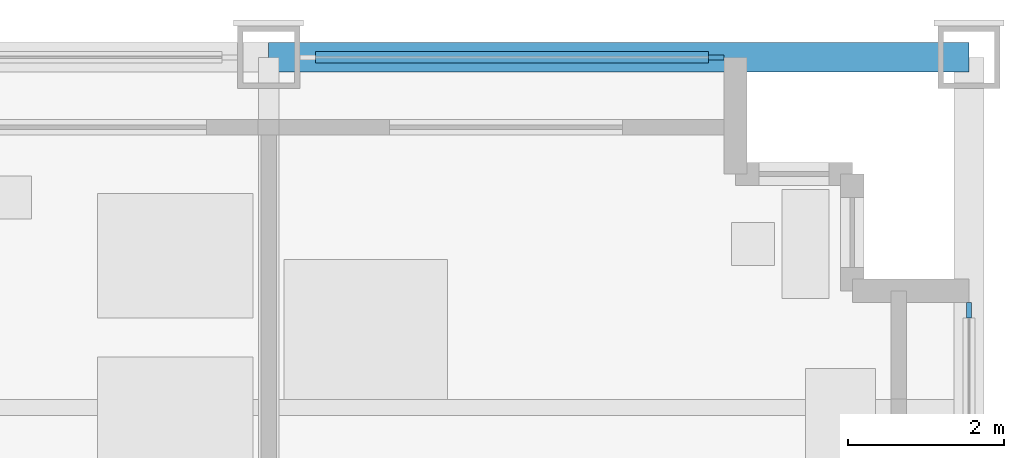
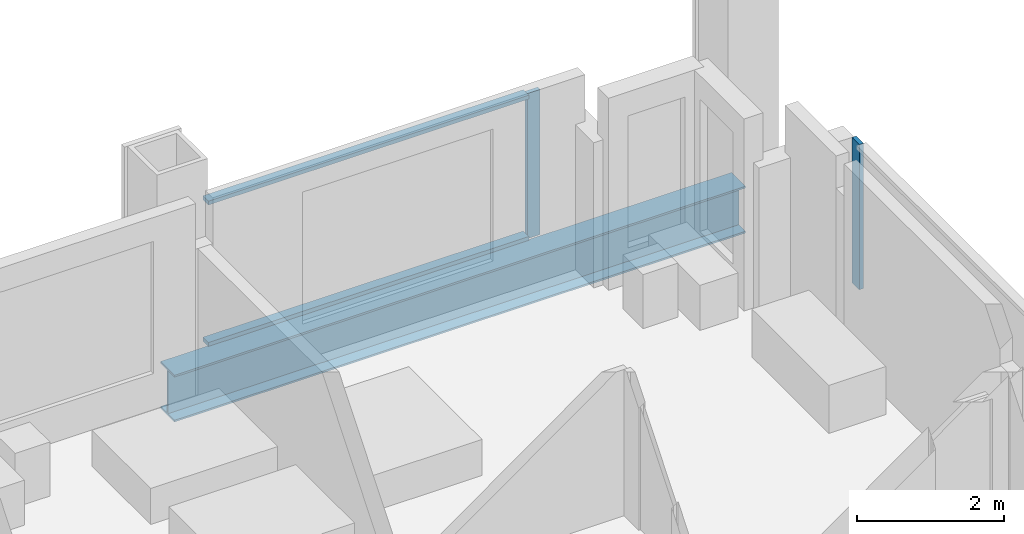
# One storey, part 7 of 16: 4 members, 1 beam, 2 elements without a shape of their own.
"""IFC4 building model written with IfcOpenShell, lengths in metres."""

from ifc_helpers import new_model, si_unit, direction, frame, origin, origin_2d, place, context, subcontext, project, spatial, rectangle, i_section, extrude, material, material_profile, profile_set, type_object, element, aggregate, save


model = new_model("IFC4")

# Units and contexts
model_context = context("Model", 3, precision=1e-05, world=origin(), true_north=direction((0.0, 1.0)))
body_context = subcontext(model_context, "Body", "Model", "MODEL_VIEW")
ifc_project = project(units=[si_unit("LENGTHUNIT", "METRE"), si_unit("AREAUNIT", "SQUARE_METRE"), si_unit("VOLUMEUNIT", "CUBIC_METRE"), si_unit("PLANEANGLEUNIT", "RADIAN"), si_unit("MASSUNIT", "GRAM", prefix="KILO")], contexts=[model_context])

# Site, building, storey
site_placement = place(None, origin())
site = spatial("IfcSite", under=ifc_project, at=site_placement, CompositionType="ELEMENT")
building_placement = place(site_placement, origin())
building = spatial("IfcBuilding", under=site, at=building_placement, Name="Loomwork Tower", CompositionType="ELEMENT")
storey_placement = place(building_placement, frame((0.0, 0.0, 118.0)))
storey = spatial("IfcBuildingStorey", under=building, at=storey_placement, Name="L31", CompositionType="ELEMENT", Elevation=118.0)

# Curtain wall, member
ifc_material_1 = material(Name="Aluminium curtain wall frame", Category="aluminium")
curtain_wall_type = type_object("IfcCurtainWallType", Name="Outer skin glazing hotel", PredefinedType="NOTDEFINED", material=ifc_material_1)
curtain_wall_1_placement = place(storey_placement, origin())
curtain_wall_1 = element("IfcCurtainWall", 1, at=curtain_wall_1_placement, inside=storey, type_object=curtain_wall_type, Name="Outer skin glazing hotel cw/N-36", PredefinedType="NOTDEFINED")
ifc_material_2 = material(Name="Aluminium curtain wall frame", Category="aluminium")
ifc_material_profile_1 = material_profile(ifc_material_2, rectangle(XDim=0.06494140625, YDim=0.199951171875, at=origin_2d()), Name="AL 65x200")
ifc_profile_set_1 = profile_set([ifc_material_profile_1], Name="Aluminium curtain wall frame")
member_type_1 = type_object("IfcMemberType", Name="Outer skin glazing hotel mullion", PredefinedType="MULLION", material=ifc_profile_set_1)
member_1_placement = place(storey_placement, frame((41.75, 36.0, 0.0), z_axis=(0.0, 0.0, 1.0), x_axis=(0.0, -1.0, 0.0)))
member_1 = element("IfcMember", 2, at=member_1_placement, type_object=member_type_1, Name="CW1 mullion 1", PredefinedType="MULLION", context=body_context, shape_type="SweptSolid", body=[
    extrude(rectangle(XDim=0.06494140625, YDim=0.199951171875, at=origin_2d()), origin(), (0.0, 0.0, 1.0), 2.420166015625),
])

curtain_wall_2_placement = place(storey_placement, origin())
curtain_wall_2 = element("IfcCurtainWall", 3, at=curtain_wall_2_placement, inside=storey, type_object=curtain_wall_type, Name="Outer skin glazing hotel cw/E-27", PredefinedType="NOTDEFINED")
member_2_placement = place(storey_placement, frame((45.0, 32.75, 0.0), z_axis=(0.0, 0.0, 1.0), x_axis=(-1.0, 0.0, 0.0)))
member_2 = element("IfcMember", 4, at=member_2_placement, type_object=member_type_1, Name="CW1 mullion 2", PredefinedType="MULLION", context=body_context, shape_type="SweptSolid", body=[
    extrude(rectangle(XDim=0.06494140625, YDim=0.199951171875, at=origin_2d()), origin(), (0.0, 0.0, 1.0), 2.420166015625),
])
aggregate(curtain_wall_2, [member_2])

# Member
ifc_material_3 = material(Name="Aluminium curtain wall frame", Category="aluminium")
ifc_material_profile_2 = material_profile(ifc_material_3, rectangle(XDim=0.14990234375, YDim=0.06494140625, at=origin_2d()), Name="AL 65x150")
ifc_profile_set_2 = profile_set([ifc_material_profile_2], Name="Aluminium curtain wall frame")
member_type_2 = type_object("IfcMemberType", Name="Outer skin glazing hotel transom", PredefinedType="USERDEFINED", material=ifc_profile_set_2)
member_3_placement = place(storey_placement, frame((41.64990234375, 36.0, 0.032470703125), z_axis=(-1.0, 0.0, 0.0), x_axis=(0.0, -1.0, 0.0)))
member_3 = element("IfcMember", 5, at=member_3_placement, type_object=member_type_2, Name="CW1 transom 1.1", ObjectType="TRANSOM", PredefinedType="USERDEFINED", context=body_context, shape_type="SweptSolid", body=[
    extrude(rectangle(XDim=0.14990234375, YDim=0.06494140625, at=origin_2d()), origin(), (0.0, 0.0, 1.0), 5.0498046875),
])

member_4_placement = place(storey_placement, frame((41.64990234375, 36.0, 2.3876953125), z_axis=(-1.0, 0.0, 0.0), x_axis=(0.0, -1.0, 0.0)))
member_4 = element("IfcMember", 6, at=member_4_placement, type_object=member_type_2, Name="CW1 transom 1.2", ObjectType="TRANSOM", PredefinedType="USERDEFINED", context=body_context, shape_type="SweptSolid", body=[
    extrude(rectangle(XDim=0.14990234375, YDim=0.06494140625, at=origin_2d()), origin(), (0.0, 0.0, 1.0), 5.0498046875),
])

aggregate(curtain_wall_1, [member_1, member_3, member_4])

# Beam
ifc_material_4 = material(Name="Steel ASTM A992", Category="steel")
ifc_material_profile_3 = material_profile(ifc_material_4, i_section(OverallWidth=0.381103515625, OverallDepth=0.77978515625, WebThickness=0.01806640625, FlangeThickness=0.0302734375, at=origin_2d()), Name="W30x191")
ifc_profile_set_3 = profile_set([ifc_material_profile_3], Name="Steel ASTM A992")
beam_type = type_object("IfcBeamType", Name="SPANDREL GIRDER W30x191", PredefinedType="SPANDREL", material=ifc_profile_set_3)
beam_placement = place(storey_placement, frame((36.0, 36.0, -0.58984375), z_axis=(1.0, 0.0, 0.0), x_axis=(0.0, 1.0, 0.0)))
element("IfcBeam", 7, at=beam_placement, inside=storey, type_object=beam_type, Name="Spandrel Girder H/6-H/7 L31", PredefinedType="SPANDREL", context=body_context, shape_type="SweptSolid", body=[
    extrude(i_section(OverallWidth=0.381103515625, OverallDepth=0.77978515625, WebThickness=0.01806640625, FlangeThickness=0.0302734375, at=origin_2d()), origin(), (0.0, 0.0, 1.0), 9.0),
])

save(model, "model.ifc")
